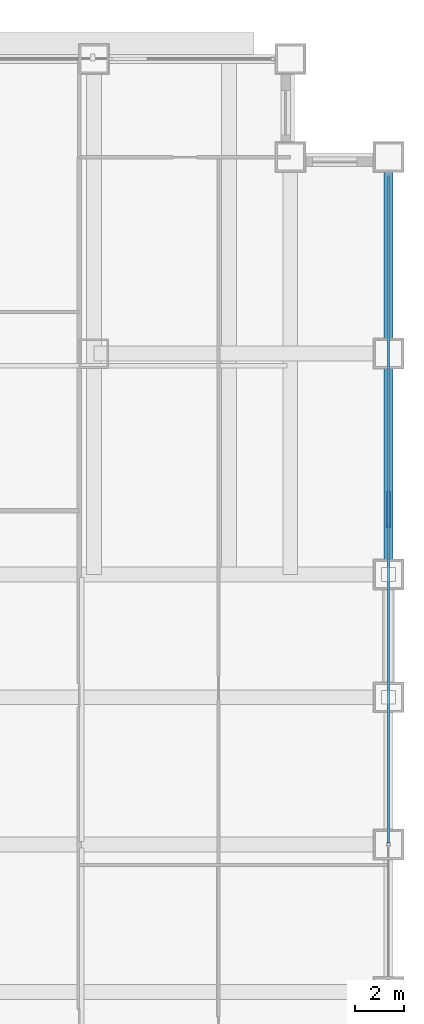
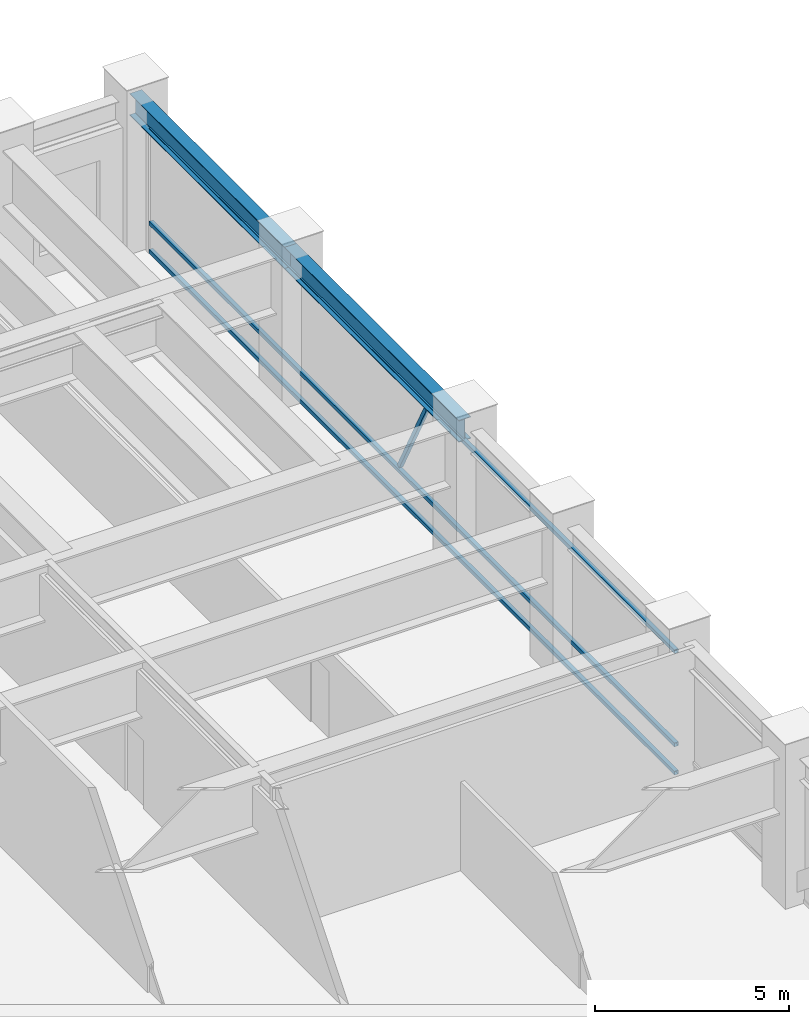
# One storey, part 17 of 34: 4 members, 2 beams, 1 element without a shape of its own.
"""IFC4 building model written with IfcOpenShell, lengths in metres."""

from ifc_helpers import new_model, si_unit, direction, frame, origin, origin_2d, place, context, subcontext, project, spatial, hollow_rectangle, i_section, extrude, source, transform, mapped, material, material_profile, profile_set, type_object, element, aggregate, save


model = new_model("IFC4")

# Units and contexts
model_context = context("Model", 3, precision=1e-05, world=origin(), true_north=direction((0.0, 1.0)))
body_context = subcontext(model_context, "Body", "Model", "MODEL_VIEW")
ifc_project = project(units=[si_unit("LENGTHUNIT", "METRE"), si_unit("AREAUNIT", "SQUARE_METRE"), si_unit("VOLUMEUNIT", "CUBIC_METRE"), si_unit("PLANEANGLEUNIT", "RADIAN"), si_unit("MASSUNIT", "GRAM", prefix="KILO")], contexts=[model_context])

# Site, building, storey
site_placement = place(None, origin())
site = spatial("IfcSite", under=ifc_project, at=site_placement, CompositionType="ELEMENT")
building_placement = place(site_placement, origin())
building = spatial("IfcBuilding", under=site, at=building_placement, Name="Khorayat Bourse Tower", CompositionType="ELEMENT")
storey_placement = place(building_placement, frame((0.0, 0.0, 144.699951171875)))
storey = spatial("IfcBuildingStorey", under=building, at=storey_placement, Name="L33", CompositionType="ELEMENT", Elevation=144.699951171875)

# Beams
ifc_material_1 = material(Name="Steel ASTM A992 Grade 50", Category="steel")
ifc_material_profile_1 = material_profile(ifc_material_1, i_section(OverallWidth=0.35498046875, OverallDepth=0.695068359375, WebThickness=0.015380859375, FlangeThickness=0.02490234375, FilletRadius=0.01806640625, at=origin_2d()), Name="W690X217")
ifc_profile_set_1 = profile_set([ifc_material_profile_1], Name="Steel ASTM A992 Grade 50")
beam_type = type_object("IfcBeamType", Name="BM-SPAN-690", PredefinedType="SPANDREL", material=ifc_profile_set_1)
shared_shape_1 = source(origin(), body_context, "Body", "SweptSolid", [
    extrude(i_section(OverallWidth=0.35498046875, OverallDepth=0.695068359375, WebThickness=0.015380859375, FlangeThickness=0.02490234375, FilletRadius=0.01806640625, at=origin_2d()), origin(), (0.0, 0.0, 1.0), 9.0),
])
beam_1_placement = place(storey_placement, frame((32.0, 11.0, 4.25244140625), z_axis=(0.0, 1.0, 0.0), x_axis=(-1.0, 0.0, 0.0)))
element("IfcBeam", 1, at=beam_1_placement, inside=storey, type_object=beam_type, Name="L33 BM-SPAN-690 BM-L33-SPN-040", PredefinedType="SPANDREL", context=body_context, shape_type="MappedRepresentation", body=[
    mapped(shared_shape_1, transform((0.0, 0.0, 0.0), scale=1.0)),
])
shared_shape_2 = source(origin(), body_context, "Body", "SweptSolid", [
    extrude(i_section(OverallWidth=0.35498046875, OverallDepth=0.695068359375, WebThickness=0.015380859375, FlangeThickness=0.02490234375, FilletRadius=0.01806640625, at=origin_2d()), origin(), (0.0, 0.0, 1.0), 8.0),
])
beam_2_placement = place(storey_placement, frame((32.0, 20.0, 4.25244140625), z_axis=(0.0, 1.0, 0.0), x_axis=(-1.0, 0.0, 0.0)))
element("IfcBeam", 2, at=beam_2_placement, inside=storey, type_object=beam_type, Name="L33 BM-SPAN-690 BM-L33-SPN-041", PredefinedType="SPANDREL", context=body_context, shape_type="MappedRepresentation", body=[
    mapped(shared_shape_2, transform((0.0, 0.0, 0.0), scale=1.0)),
])

# Curtain wall, members
ifc_material_2 = material(Name="Aluminium EN AW-6063 T6", Category="aluminium")
curtain_wall_type = type_object("IfcCurtainWallType", Name="CW-SYS-05", PredefinedType="NOTDEFINED", material=ifc_material_2)
curtain_wall_placement = place(storey_placement, origin())
curtain_wall = element("IfcCurtainWall", 3, at=curtain_wall_placement, inside=storey, type_object=curtain_wall_type, Name="L33 Curtain Wall CW-L33-E1", PredefinedType="NOTDEFINED")
ifc_material_profile_2 = material_profile(ifc_material_2, hollow_rectangle(XDim=0.1201171875, YDim=0.1201171875, WallThickness=0.0048828125, at=origin_2d()), Name="ALU 120x120x5")
ifc_profile_set_2 = profile_set([ifc_material_profile_2], Name="Aluminium EN AW-6063 T6")
member_type_1 = type_object("IfcMemberType", Name="CWM-DIAG-120", PredefinedType="MULLION", material=ifc_profile_set_2)
shared_shape_3 = source(origin(), body_context, "Body", "SweptSolid", [
    extrude(hollow_rectangle(XDim=0.1201171875, YDim=0.1201171875, WallThickness=0.0048828125, at=origin_2d()), origin(), (0.0, 0.0, 1.0), 3.005859375),
])
member_1_placement = place(storey_placement, frame((32.0, 14.340087890625, 1.090087890625), z_axis=(0.0, -0.465796644007, 0.884891793629), x_axis=(1.0, 0.0, 0.0)))
member_1 = element("IfcMember", 4, at=member_1_placement, type_object=member_type_1, Name="CW-L33-E1 Faceted Diagonal Mullion 2", PredefinedType="MULLION", context=body_context, shape_type="MappedRepresentation", body=[
    mapped(shared_shape_3, transform((0.0, 0.0, 0.0), scale=1.0)),
])
ifc_material_profile_3 = material_profile(ifc_material_2, hollow_rectangle(XDim=0.1201171875, YDim=0.1201171875, WallThickness=0.0048828125, at=origin_2d()), Name="ALU 120x120x5")
ifc_profile_set_3 = profile_set([ifc_material_profile_3], Name="Aluminium EN AW-6063 T6")
member_type_2 = type_object("IfcMemberType", Name="CWT-HORZ-120", PredefinedType="USERDEFINED", material=ifc_profile_set_3)
shared_shape_4 = source(origin(), body_context, "Body", "SweptSolid", [
    extrude(hollow_rectangle(XDim=0.1201171875, YDim=0.1201171875, WallThickness=0.0048828125, at=origin_2d()), origin(), (0.0, 0.0, 1.0), 27.139892578125),
])
member_2_placement = place(storey_placement, frame((32.0, 0.070068359375, 0.06005859375), z_axis=(0.0, 1.0, 0.0), x_axis=(-1.0, 0.0, 0.0)))
member_2 = element("IfcMember", 5, at=member_2_placement, type_object=member_type_2, Name="CW-L33-E1 Horizontal Transom 2-1", ObjectType="TRANSOM", PredefinedType="USERDEFINED", context=body_context, shape_type="MappedRepresentation", body=[
    mapped(shared_shape_4, transform((0.0, 0.0, 0.0), scale=1.0)),
])
member_3_placement = place(storey_placement, frame((32.0, 0.070068359375, 0.949951171875), z_axis=(0.0, 1.0, 0.0), x_axis=(-1.0, 0.0, 0.0)))
member_3 = element("IfcMember", 6, at=member_3_placement, type_object=member_type_2, Name="CW-L33-E1 Horizontal Transom 2-2", ObjectType="TRANSOM", PredefinedType="USERDEFINED", context=body_context, shape_type="MappedRepresentation", body=[
    mapped(shared_shape_4, transform((0.0, 0.0, 0.0), scale=1.0)),
])
member_4_placement = place(storey_placement, frame((32.0, 0.070068359375, 3.89013671875), z_axis=(0.0, 1.0, 0.0), x_axis=(-1.0, 0.0, 0.0)))
member_4 = element("IfcMember", 7, at=member_4_placement, type_object=member_type_2, Name="CW-L33-E1 Horizontal Transom 2-3", ObjectType="TRANSOM", PredefinedType="USERDEFINED", context=body_context, shape_type="MappedRepresentation", body=[
    mapped(shared_shape_4, transform((0.0, 0.0, 0.0), scale=1.0)),
])
aggregate(curtain_wall, [member_2, member_3, member_4, member_1])

save(model, "model.ifc")
